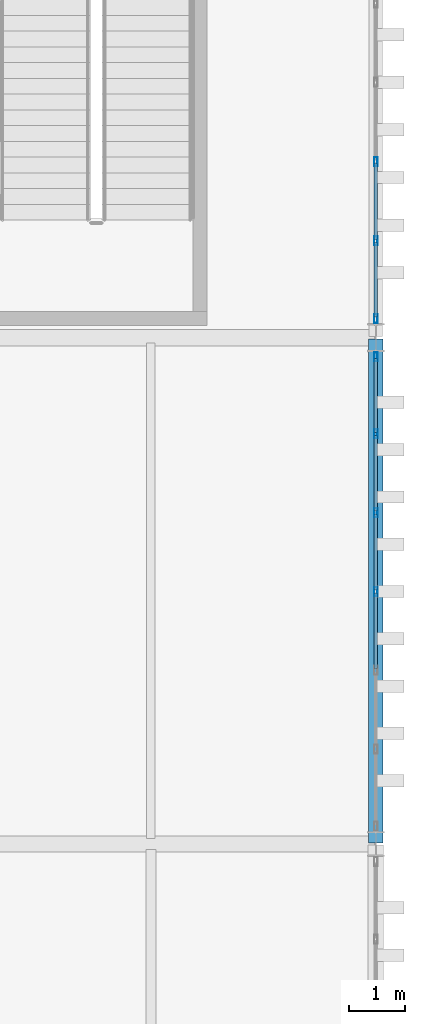
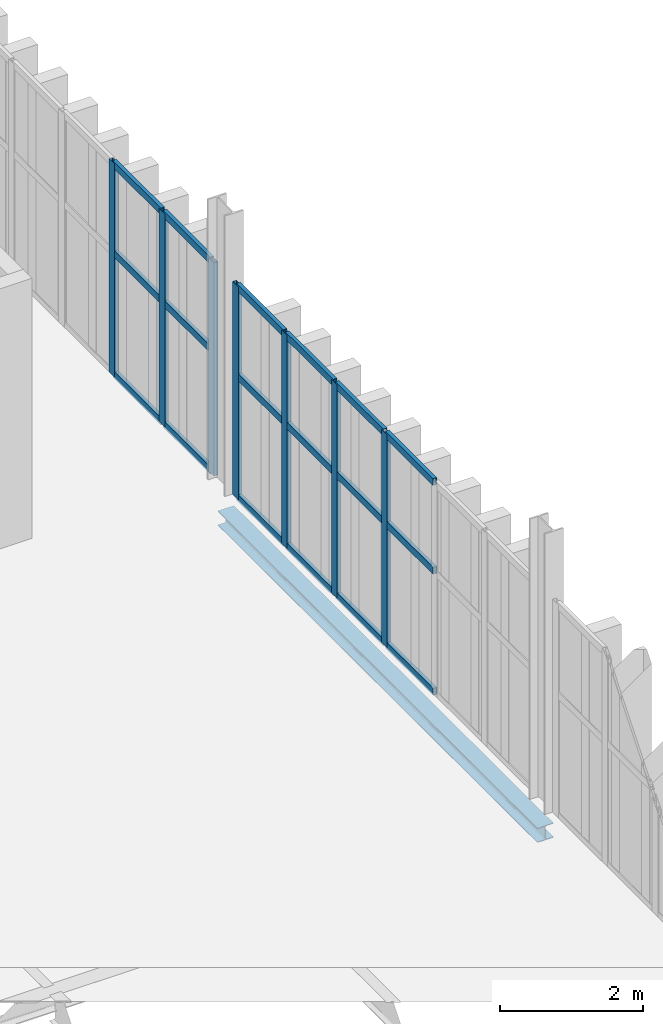
# One storey, part 127 of 196: 25 members, 1 beam, 2 elements without a shape of their own.
"""IFC4 building model written with IfcOpenShell, lengths in metres."""

from ifc_helpers import new_model, si_unit, direction, frame, origin, origin_2d, place, context, subcontext, project, spatial, hollow_rectangle, i_section, extrude, material, layer, layer_set, material_profile, profile_set, type_object, element, aggregate, save


model = new_model("IFC4")

# Units and contexts
model_context = context("Model", 3, precision=1e-05, world=origin(), true_north=direction((0.0, 1.0)))
body_context = subcontext(model_context, "Body", "Model", "MODEL_VIEW")
ifc_project = project(units=[si_unit("LENGTHUNIT", "METRE"), si_unit("AREAUNIT", "SQUARE_METRE"), si_unit("VOLUMEUNIT", "CUBIC_METRE"), si_unit("PLANEANGLEUNIT", "RADIAN"), si_unit("MASSUNIT", "GRAM", prefix="KILO")], contexts=[model_context])

# Site, building, storey
site_placement = place(None, origin())
site = spatial("IfcSite", under=ifc_project, at=site_placement, CompositionType="ELEMENT")
building_placement = place(site_placement, origin())
building = spatial("IfcBuilding", under=site, at=building_placement, Name="Barlavento Convention Centre", CompositionType="ELEMENT")
storey_placement = place(building_placement, frame((0.0, 0.0, 18.0)))
storey = spatial("IfcBuildingStorey", under=building, at=storey_placement, Name="L03", CompositionType="ELEMENT", Elevation=18.0)

# Curtain wall, members
ifc_material_1 = material(Name="Powder-coated aluminium and Low-E glass", Category="aluminium")
ifc_layer = layer(ifc_material_1, 0.179931640625)
ifc_layer_set = layer_set([ifc_layer], Name="ARC-CW-CONF-L03")
curtain_wall_type = type_object("IfcCurtainWallType", Name="ARC-CW-CONF-L03", PredefinedType="NOTDEFINED", material=ifc_layer_set)
curtain_wall_1_placement = place(storey_placement, origin())
curtain_wall_1 = element("IfcCurtainWall", 1, at=curtain_wall_1_placement, inside=storey, type_object=curtain_wall_type, Name="L03 unitised curtain wall CW08", PredefinedType="NOTDEFINED")
ifc_material_2 = material(Name="Powder-coated aluminium", Category="aluminium")
ifc_material_profile_1 = material_profile(ifc_material_2, hollow_rectangle(XDim=0.06005859375, YDim=0.159912109375, WallThickness=0.00390625, at=origin_2d()), Name="AL-MULL 60x160x4")
ifc_profile_set_1 = profile_set([ifc_material_profile_1], Name="Powder-coated aluminium")
member_type_1 = type_object("IfcMemberType", Name="ARC-CWM-60X160", PredefinedType="MULLION", material=ifc_profile_set_1)
member_1_placement = place(storey_placement, frame((192.0, 31.487548828125, 0.0), z_axis=(0.0, 0.0, 1.0), x_axis=(-1.0, 0.0, 0.0)))
member_1 = element("IfcMember", 2, at=member_1_placement, type_object=member_type_1, Name="CW08 mullion 4", PredefinedType="MULLION", context=body_context, shape_type="SweptSolid", body=[
    extrude(hollow_rectangle(XDim=0.06005859375, YDim=0.159912109375, WallThickness=0.00390625, at=origin_2d()), origin(), (0.0, 0.0, 1.0), 3.64990234375),
])
member_2_placement = place(storey_placement, frame((192.0, 32.888427734375, 0.0), z_axis=(0.0, 0.0, 1.0), x_axis=(-1.0, 0.0, 0.0)))
member_2 = element("IfcMember", 3, at=member_2_placement, type_object=member_type_1, Name="CW08 mullion 5", PredefinedType="MULLION", context=body_context, shape_type="SweptSolid", body=[
    extrude(hollow_rectangle(XDim=0.06005859375, YDim=0.159912109375, WallThickness=0.00390625, at=origin_2d()), origin(), (0.0, 0.0, 1.0), 3.64990234375),
])
member_3_placement = place(storey_placement, frame((192.0, 34.2890625, 0.0), z_axis=(0.0, 0.0, 1.0), x_axis=(-1.0, 0.0, 0.0)))
member_3 = element("IfcMember", 4, at=member_3_placement, type_object=member_type_1, Name="CW08 mullion 6", PredefinedType="MULLION", context=body_context, shape_type="SweptSolid", body=[
    extrude(hollow_rectangle(XDim=0.06005859375, YDim=0.159912109375, WallThickness=0.00390625, at=origin_2d()), origin(), (0.0, 0.0, 1.0), 3.64990234375),
])
member_4_placement = place(storey_placement, frame((192.0, 35.659912109375, 0.0), z_axis=(0.0, 0.0, 1.0), x_axis=(-1.0, 0.0, 0.0)))
member_4 = element("IfcMember", 5, at=member_4_placement, type_object=member_type_1, Name="CW08 mullion 7", PredefinedType="MULLION", context=body_context, shape_type="SweptSolid", body=[
    extrude(hollow_rectangle(XDim=0.06005859375, YDim=0.159912109375, WallThickness=0.00390625, at=origin_2d()), origin(), (0.0, 0.0, 1.0), 3.64990234375),
])

curtain_wall_2_placement = place(storey_placement, origin())
curtain_wall_2 = element("IfcCurtainWall", 6, at=curtain_wall_2_placement, inside=storey, type_object=curtain_wall_type, Name="L03 unitised curtain wall CW08", PredefinedType="NOTDEFINED")
member_5_placement = place(storey_placement, frame((192.0, 36.340087890625, 0.0), z_axis=(0.0, 0.0, 1.0), x_axis=(-1.0, 0.0, 0.0)))
member_5 = element("IfcMember", 7, at=member_5_placement, type_object=member_type_1, Name="CW08 mullion 1", PredefinedType="MULLION", context=body_context, shape_type="SweptSolid", body=[
    extrude(hollow_rectangle(XDim=0.06005859375, YDim=0.159912109375, WallThickness=0.00390625, at=origin_2d()), origin(), (0.0, 0.0, 1.0), 3.64990234375),
])
member_6_placement = place(storey_placement, frame((192.0, 37.719970703125, 0.0), z_axis=(0.0, 0.0, 1.0), x_axis=(-1.0, 0.0, 0.0)))
member_6 = element("IfcMember", 8, at=member_6_placement, type_object=member_type_1, Name="CW08 mullion 2", PredefinedType="MULLION", context=body_context, shape_type="SweptSolid", body=[
    extrude(hollow_rectangle(XDim=0.06005859375, YDim=0.159912109375, WallThickness=0.00390625, at=origin_2d()), origin(), (0.0, 0.0, 1.0), 3.64990234375),
])
member_7_placement = place(storey_placement, frame((192.0, 39.1298828125, 0.0), z_axis=(0.0, 0.0, 1.0), x_axis=(-1.0, 0.0, 0.0)))
member_7 = element("IfcMember", 9, at=member_7_placement, type_object=member_type_1, Name="CW08 mullion 3", PredefinedType="MULLION", context=body_context, shape_type="SweptSolid", body=[
    extrude(hollow_rectangle(XDim=0.06005859375, YDim=0.159912109375, WallThickness=0.00390625, at=origin_2d()), origin(), (0.0, 0.0, 1.0), 3.64990234375),
])

# Member
ifc_material_profile_2 = material_profile(ifc_material_2, hollow_rectangle(XDim=0.06005859375, YDim=0.1201171875, WallThickness=0.00390625, at=origin_2d()), Name="AL-TRAN 60x120x4")
ifc_profile_set_2 = profile_set([ifc_material_profile_2], Name="Powder-coated aluminium")
member_type_2 = type_object("IfcMemberType", Name="ARC-CWT-60X120", PredefinedType="USERDEFINED", material=ifc_profile_set_2)
member_8_placement = place(storey_placement, frame((192.0, 30.11669921875, 0.030029296875), z_axis=(0.0, 1.0, 0.0), x_axis=(-1.0, 0.0, 0.0)))
member_8 = element("IfcMember", 10, at=member_8_placement, type_object=member_type_2, Name="CW08 transom 3.1", ObjectType="TRANSOM", PredefinedType="USERDEFINED", context=body_context, shape_type="SweptSolid", body=[
    extrude(hollow_rectangle(XDim=0.06005859375, YDim=0.1201171875, WallThickness=0.00390625, at=origin_2d()), origin(), (0.0, 0.0, 1.0), 1.3408203125),
])

member_9_placement = place(storey_placement, frame((192.0, 30.11669921875, 2.10009765625), z_axis=(0.0, 1.0, 0.0), x_axis=(-1.0, 0.0, 0.0)))
member_9 = element("IfcMember", 11, at=member_9_placement, type_object=member_type_2, Name="CW08 transom 3.2", ObjectType="TRANSOM", PredefinedType="USERDEFINED", context=body_context, shape_type="SweptSolid", body=[
    extrude(hollow_rectangle(XDim=0.06005859375, YDim=0.1201171875, WallThickness=0.00390625, at=origin_2d()), origin(), (0.0, 0.0, 1.0), 1.3408203125),
])

member_10_placement = place(storey_placement, frame((192.0, 30.11669921875, 3.6201171875), z_axis=(0.0, 1.0, 0.0), x_axis=(-1.0, 0.0, 0.0)))
member_10 = element("IfcMember", 12, at=member_10_placement, type_object=member_type_2, Name="CW08 transom 3.3", ObjectType="TRANSOM", PredefinedType="USERDEFINED", context=body_context, shape_type="SweptSolid", body=[
    extrude(hollow_rectangle(XDim=0.06005859375, YDim=0.1201171875, WallThickness=0.00390625, at=origin_2d()), origin(), (0.0, 0.0, 1.0), 1.3408203125),
])

member_11_placement = place(storey_placement, frame((192.0, 31.517578125, 0.030029296875), z_axis=(0.0, 1.0, 0.0), x_axis=(-1.0, 0.0, 0.0)))
member_11 = element("IfcMember", 13, at=member_11_placement, type_object=member_type_2, Name="CW08 transom 4.1", ObjectType="TRANSOM", PredefinedType="USERDEFINED", context=body_context, shape_type="SweptSolid", body=[
    extrude(hollow_rectangle(XDim=0.06005859375, YDim=0.1201171875, WallThickness=0.00390625, at=origin_2d()), origin(), (0.0, 0.0, 1.0), 1.3408203125),
])

member_12_placement = place(storey_placement, frame((192.0, 31.517578125, 2.10009765625), z_axis=(0.0, 1.0, 0.0), x_axis=(-1.0, 0.0, 0.0)))
member_12 = element("IfcMember", 14, at=member_12_placement, type_object=member_type_2, Name="CW08 transom 4.2", ObjectType="TRANSOM", PredefinedType="USERDEFINED", context=body_context, shape_type="SweptSolid", body=[
    extrude(hollow_rectangle(XDim=0.06005859375, YDim=0.1201171875, WallThickness=0.00390625, at=origin_2d()), origin(), (0.0, 0.0, 1.0), 1.3408203125),
])

member_13_placement = place(storey_placement, frame((192.0, 31.517578125, 3.6201171875), z_axis=(0.0, 1.0, 0.0), x_axis=(-1.0, 0.0, 0.0)))
member_13 = element("IfcMember", 15, at=member_13_placement, type_object=member_type_2, Name="CW08 transom 4.3", ObjectType="TRANSOM", PredefinedType="USERDEFINED", context=body_context, shape_type="SweptSolid", body=[
    extrude(hollow_rectangle(XDim=0.06005859375, YDim=0.1201171875, WallThickness=0.00390625, at=origin_2d()), origin(), (0.0, 0.0, 1.0), 1.3408203125),
])

member_14_placement = place(storey_placement, frame((192.0, 32.918212890625, 0.030029296875), z_axis=(0.0, 1.0, 0.0), x_axis=(-1.0, 0.0, 0.0)))
member_14 = element("IfcMember", 16, at=member_14_placement, type_object=member_type_2, Name="CW08 transom 5.1", ObjectType="TRANSOM", PredefinedType="USERDEFINED", context=body_context, shape_type="SweptSolid", body=[
    extrude(hollow_rectangle(XDim=0.06005859375, YDim=0.1201171875, WallThickness=0.00390625, at=origin_2d()), origin(), (0.0, 0.0, 1.0), 1.341064453125),
])

member_15_placement = place(storey_placement, frame((192.0, 32.918212890625, 2.10009765625), z_axis=(0.0, 1.0, 0.0), x_axis=(-1.0, 0.0, 0.0)))
member_15 = element("IfcMember", 17, at=member_15_placement, type_object=member_type_2, Name="CW08 transom 5.2", ObjectType="TRANSOM", PredefinedType="USERDEFINED", context=body_context, shape_type="SweptSolid", body=[
    extrude(hollow_rectangle(XDim=0.06005859375, YDim=0.1201171875, WallThickness=0.00390625, at=origin_2d()), origin(), (0.0, 0.0, 1.0), 1.341064453125),
])

member_16_placement = place(storey_placement, frame((192.0, 32.918212890625, 3.6201171875), z_axis=(0.0, 1.0, 0.0), x_axis=(-1.0, 0.0, 0.0)))
member_16 = element("IfcMember", 18, at=member_16_placement, type_object=member_type_2, Name="CW08 transom 5.3", ObjectType="TRANSOM", PredefinedType="USERDEFINED", context=body_context, shape_type="SweptSolid", body=[
    extrude(hollow_rectangle(XDim=0.06005859375, YDim=0.1201171875, WallThickness=0.00390625, at=origin_2d()), origin(), (0.0, 0.0, 1.0), 1.341064453125),
])

member_17_placement = place(storey_placement, frame((192.0, 34.319091796875, 0.030029296875), z_axis=(0.0, 1.0, 0.0), x_axis=(-1.0, 0.0, 0.0)))
member_17 = element("IfcMember", 19, at=member_17_placement, type_object=member_type_2, Name="CW08 transom 6.1", ObjectType="TRANSOM", PredefinedType="USERDEFINED", context=body_context, shape_type="SweptSolid", body=[
    extrude(hollow_rectangle(XDim=0.06005859375, YDim=0.1201171875, WallThickness=0.00390625, at=origin_2d()), origin(), (0.0, 0.0, 1.0), 1.310791015625),
])

member_18_placement = place(storey_placement, frame((192.0, 34.319091796875, 2.10009765625), z_axis=(0.0, 1.0, 0.0), x_axis=(-1.0, 0.0, 0.0)))
member_18 = element("IfcMember", 20, at=member_18_placement, type_object=member_type_2, Name="CW08 transom 6.2", ObjectType="TRANSOM", PredefinedType="USERDEFINED", context=body_context, shape_type="SweptSolid", body=[
    extrude(hollow_rectangle(XDim=0.06005859375, YDim=0.1201171875, WallThickness=0.00390625, at=origin_2d()), origin(), (0.0, 0.0, 1.0), 1.310791015625),
])

member_19_placement = place(storey_placement, frame((192.0, 34.319091796875, 3.6201171875), z_axis=(0.0, 1.0, 0.0), x_axis=(-1.0, 0.0, 0.0)))
member_19 = element("IfcMember", 21, at=member_19_placement, type_object=member_type_2, Name="CW08 transom 6.3", ObjectType="TRANSOM", PredefinedType="USERDEFINED", context=body_context, shape_type="SweptSolid", body=[
    extrude(hollow_rectangle(XDim=0.06005859375, YDim=0.1201171875, WallThickness=0.00390625, at=origin_2d()), origin(), (0.0, 0.0, 1.0), 1.310791015625),
])

aggregate(curtain_wall_1, [member_1, member_2, member_3, member_4, member_8, member_9, member_10, member_11, member_12, member_13, member_14, member_15, member_16, member_17, member_18, member_19])

member_20_placement = place(storey_placement, frame((192.0, 36.3701171875, 0.030029296875), z_axis=(0.0, 1.0, 0.0), x_axis=(-1.0, 0.0, 0.0)))
member_20 = element("IfcMember", 22, at=member_20_placement, type_object=member_type_2, Name="CW08 transom 1.1", ObjectType="TRANSOM", PredefinedType="USERDEFINED", context=body_context, shape_type="SweptSolid", body=[
    extrude(hollow_rectangle(XDim=0.06005859375, YDim=0.1201171875, WallThickness=0.00390625, at=origin_2d()), origin(), (0.0, 0.0, 1.0), 1.31982421875),
])

member_21_placement = place(storey_placement, frame((192.0, 36.3701171875, 2.10009765625), z_axis=(0.0, 1.0, 0.0), x_axis=(-1.0, 0.0, 0.0)))
member_21 = element("IfcMember", 23, at=member_21_placement, type_object=member_type_2, Name="CW08 transom 1.2", ObjectType="TRANSOM", PredefinedType="USERDEFINED", context=body_context, shape_type="SweptSolid", body=[
    extrude(hollow_rectangle(XDim=0.06005859375, YDim=0.1201171875, WallThickness=0.00390625, at=origin_2d()), origin(), (0.0, 0.0, 1.0), 1.31982421875),
])

member_22_placement = place(storey_placement, frame((192.0, 36.3701171875, 3.6201171875), z_axis=(0.0, 1.0, 0.0), x_axis=(-1.0, 0.0, 0.0)))
member_22 = element("IfcMember", 24, at=member_22_placement, type_object=member_type_2, Name="CW08 transom 1.3", ObjectType="TRANSOM", PredefinedType="USERDEFINED", context=body_context, shape_type="SweptSolid", body=[
    extrude(hollow_rectangle(XDim=0.06005859375, YDim=0.1201171875, WallThickness=0.00390625, at=origin_2d()), origin(), (0.0, 0.0, 1.0), 1.31982421875),
])

member_23_placement = place(storey_placement, frame((192.0, 37.75, 0.030029296875), z_axis=(0.0, 1.0, 0.0), x_axis=(-1.0, 0.0, 0.0)))
member_23 = element("IfcMember", 25, at=member_23_placement, type_object=member_type_2, Name="CW08 transom 2.1", ObjectType="TRANSOM", PredefinedType="USERDEFINED", context=body_context, shape_type="SweptSolid", body=[
    extrude(hollow_rectangle(XDim=0.06005859375, YDim=0.1201171875, WallThickness=0.00390625, at=origin_2d()), origin(), (0.0, 0.0, 1.0), 1.35009765625),
])

member_24_placement = place(storey_placement, frame((192.0, 37.75, 2.10009765625), z_axis=(0.0, 1.0, 0.0), x_axis=(-1.0, 0.0, 0.0)))
member_24 = element("IfcMember", 26, at=member_24_placement, type_object=member_type_2, Name="CW08 transom 2.2", ObjectType="TRANSOM", PredefinedType="USERDEFINED", context=body_context, shape_type="SweptSolid", body=[
    extrude(hollow_rectangle(XDim=0.06005859375, YDim=0.1201171875, WallThickness=0.00390625, at=origin_2d()), origin(), (0.0, 0.0, 1.0), 1.35009765625),
])

member_25_placement = place(storey_placement, frame((192.0, 37.75, 3.6201171875), z_axis=(0.0, 1.0, 0.0), x_axis=(-1.0, 0.0, 0.0)))
member_25 = element("IfcMember", 27, at=member_25_placement, type_object=member_type_2, Name="CW08 transom 2.3", ObjectType="TRANSOM", PredefinedType="USERDEFINED", context=body_context, shape_type="SweptSolid", body=[
    extrude(hollow_rectangle(XDim=0.06005859375, YDim=0.1201171875, WallThickness=0.00390625, at=origin_2d()), origin(), (0.0, 0.0, 1.0), 1.35009765625),
])

aggregate(curtain_wall_2, [member_5, member_6, member_7, member_20, member_21, member_22, member_23, member_24, member_25])

# Beam
ifc_material_3 = material(Name="Steel S355", Category="steel")
ifc_material_profile_3 = material_profile(ifc_material_3, i_section(OverallWidth=0.260009765625, OverallDepth=0.25, WebThickness=0.007568359375, FlangeThickness=0.012451171875, FilletRadius=0.02392578125, at=origin_2d()), Name="HEA 260")
ifc_profile_set_3 = profile_set([ifc_material_profile_3], Name="Steel S355")
beam_type = type_object("IfcBeamType", Name="STR-BM-SPN-HEA260", PredefinedType="SPANDREL", material=ifc_profile_set_3)
beam_placement = place(storey_placement, frame((192.0, 27.02001953125, -0.514892578125), z_axis=(0.0, 1.0, 0.0), x_axis=(-1.0, 0.0, 0.0)))
element("IfcBeam", 28, at=beam_placement, inside=storey, type_object=beam_type, Name="L03 grid girder SP04", PredefinedType="SPANDREL", context=body_context, shape_type="SweptSolid", body=[
    extrude(i_section(OverallWidth=0.260009765625, OverallDepth=0.25, WebThickness=0.007568359375, FlangeThickness=0.012451171875, FilletRadius=0.02392578125, at=origin_2d()), origin(), (0.0, 0.0, 1.0), 8.9599609375),
])

save(model, "model.ifc")
